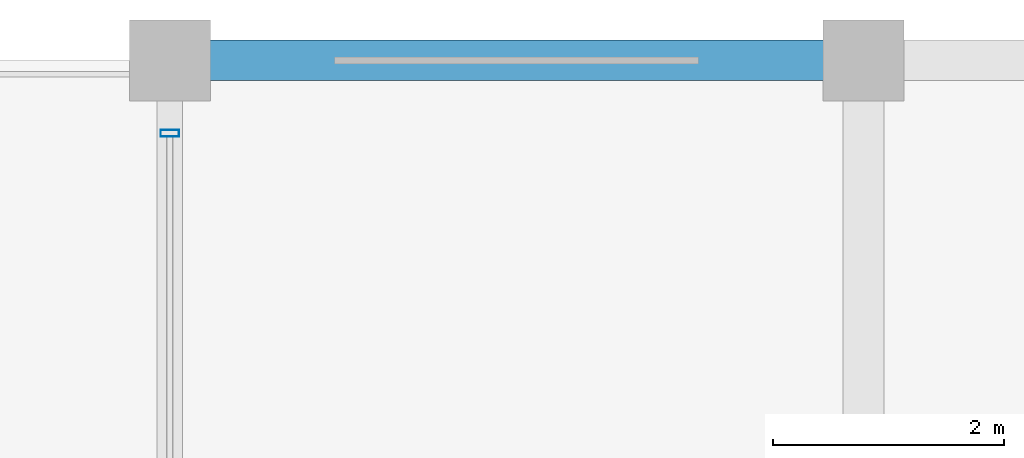
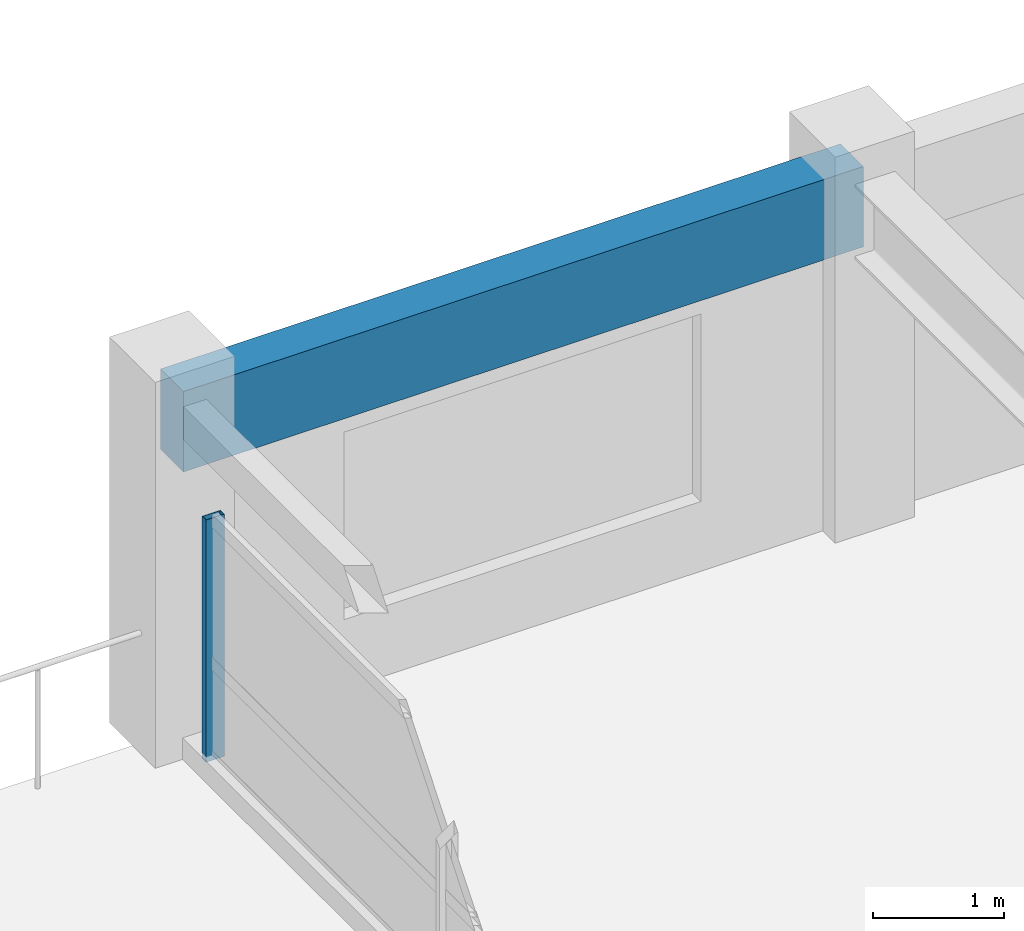
# One storey, part 16 of 24: 1 beam, 1 member, 1 element without a shape of its own.
"""IFC4 building model written with IfcOpenShell, lengths in metres."""

from ifc_helpers import new_model, si_unit, direction, frame, origin, origin_2d, place, context, subcontext, project, spatial, rectangle, hollow_rectangle, extrude, material, material_profile, profile_set, type_object, element, aggregate, save


model = new_model("IFC4")

# Units and contexts
model_context = context("Model", 3, precision=1e-05, world=origin(), true_north=direction((0.0, 1.0)))
body_context = subcontext(model_context, "Body", "Model", "MODEL_VIEW")
ifc_project = project(units=[si_unit("LENGTHUNIT", "METRE"), si_unit("AREAUNIT", "SQUARE_METRE"), si_unit("VOLUMEUNIT", "CUBIC_METRE"), si_unit("PLANEANGLEUNIT", "RADIAN"), si_unit("MASSUNIT", "GRAM", prefix="KILO")], contexts=[model_context])

# Site, building, storey
site_placement = place(None, origin())
site = spatial("IfcSite", under=ifc_project, at=site_placement, CompositionType="ELEMENT")
building_placement = place(site_placement, origin())
building = spatial("IfcBuilding", under=site, at=building_placement, Name="Kaldorvane Square Convention Centre", CompositionType="ELEMENT")
storey_placement = place(building_placement, frame((0.0, 0.0, 60.0)))
storey = spatial("IfcBuildingStorey", under=building, at=storey_placement, Name="L14", CompositionType="ELEMENT", Elevation=60.0)

# Beam
ifc_material_1 = material(Name="Concrete f'c = 42 MPa (Normalweight)", Category="concrete")
ifc_material_profile_1 = material_profile(ifc_material_1, rectangle(XDim=0.350006103515625, YDim=0.75, at=origin_2d()), Name="RCSP750X350")
ifc_profile_set_1 = profile_set([ifc_material_profile_1], Name="Concrete f'c = 42 MPa (Normalweight)")
beam_type = type_object("IfcBeamType", Name="BM-SP-RC750", PredefinedType="SPANDREL", material=ifc_profile_set_1)
beam_placement = place(storey_placement, frame((36.0, 117.0, 2.9109954833984375), z_axis=(1.0, 0.0, 0.0), x_axis=(0.0, 1.0, 0.0)))
element("IfcBeam", 1, at=beam_placement, inside=storey, type_object=beam_type, Name="Perimeter Spandrel (L14)", PredefinedType="SPANDREL", context=body_context, shape_type="SweptSolid", body=[
    extrude(rectangle(XDim=0.350006103515625, YDim=0.75, at=origin_2d()), origin(), (0.0, 0.0, 1.0), 6.0),
])

# Curtain wall, member
ifc_material_2 = material(Name="Anodized Aluminum and Low-E Insulated Glazing", Category="aluminium")
curtain_wall_type = type_object("IfcCurtainWallType", Name="CW-UNI-HTL-B", PredefinedType="USERDEFINED", material=ifc_material_2)
curtain_wall_placement = place(storey_placement, origin())
curtain_wall = element("IfcCurtainWall", 2, at=curtain_wall_placement, inside=storey, type_object=curtain_wall_type, Name="Curtain Wall CW-11 (L14)", ObjectType="UNITISED GLAZING", PredefinedType="USERDEFINED")
ifc_material_profile_2 = material_profile(ifc_material_2, hollow_rectangle(XDim=0.05999755859375, YDim=0.160003662109375, WallThickness=0.003204345703125, at=origin_2d()), Name="CWM-160X60")
ifc_profile_set_2 = profile_set([ifc_material_profile_2], Name="Anodized Aluminum and Low-E Insulated Glazing")
member_type = type_object("IfcMemberType", Name="CW-MUL-160", PredefinedType="MULLION", material=ifc_profile_set_2)
member_placement = place(storey_placement, frame((36.0, 116.3699951171875, 0.149993896484375), z_axis=(0.0, 0.0, 1.0), x_axis=(0.0, -1.0, 0.0)))
member = element("IfcMember", 3, at=member_placement, type_object=member_type, Name="CW-11 mullion 1", PredefinedType="MULLION", context=body_context, shape_type="SweptSolid", body=[
    extrude(hollow_rectangle(XDim=0.05999755859375, YDim=0.160003662109375, WallThickness=0.003204345703125, at=origin_2d()), origin(), (0.0, 0.0, 1.0), 2.260009765625),
])
aggregate(curtain_wall, [member])

save(model, "model.ifc")
